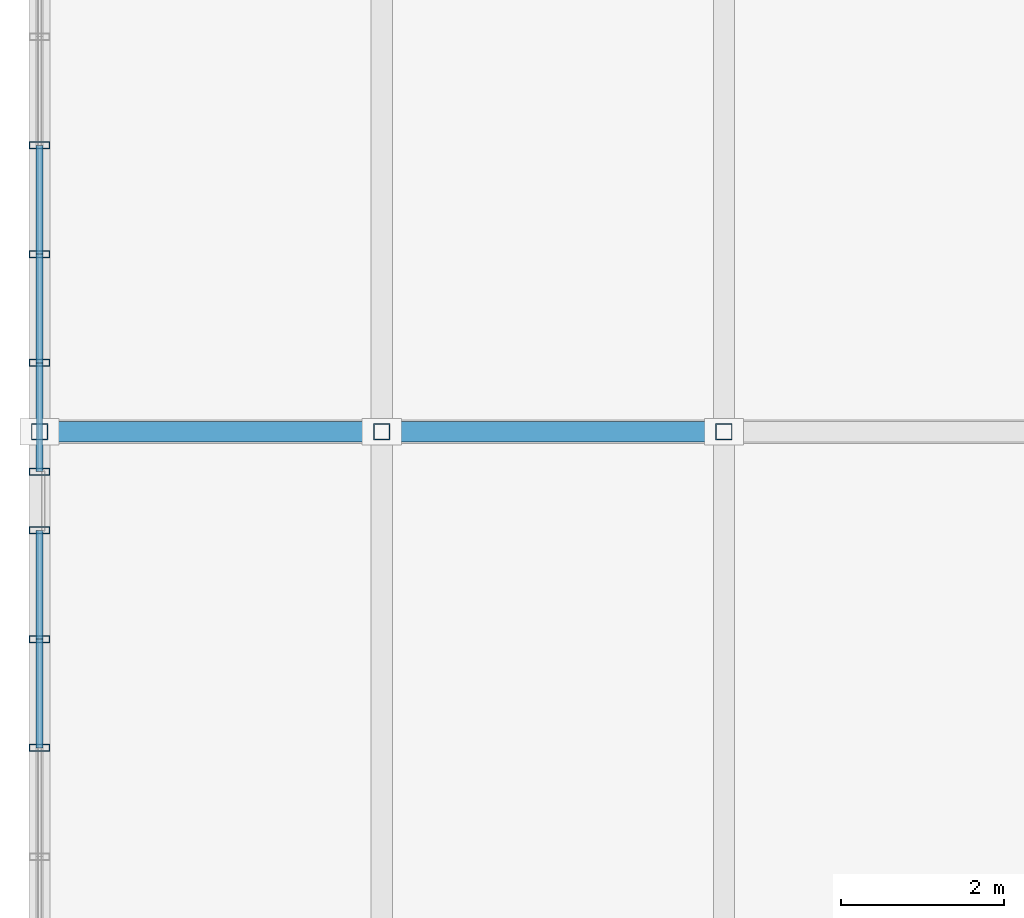
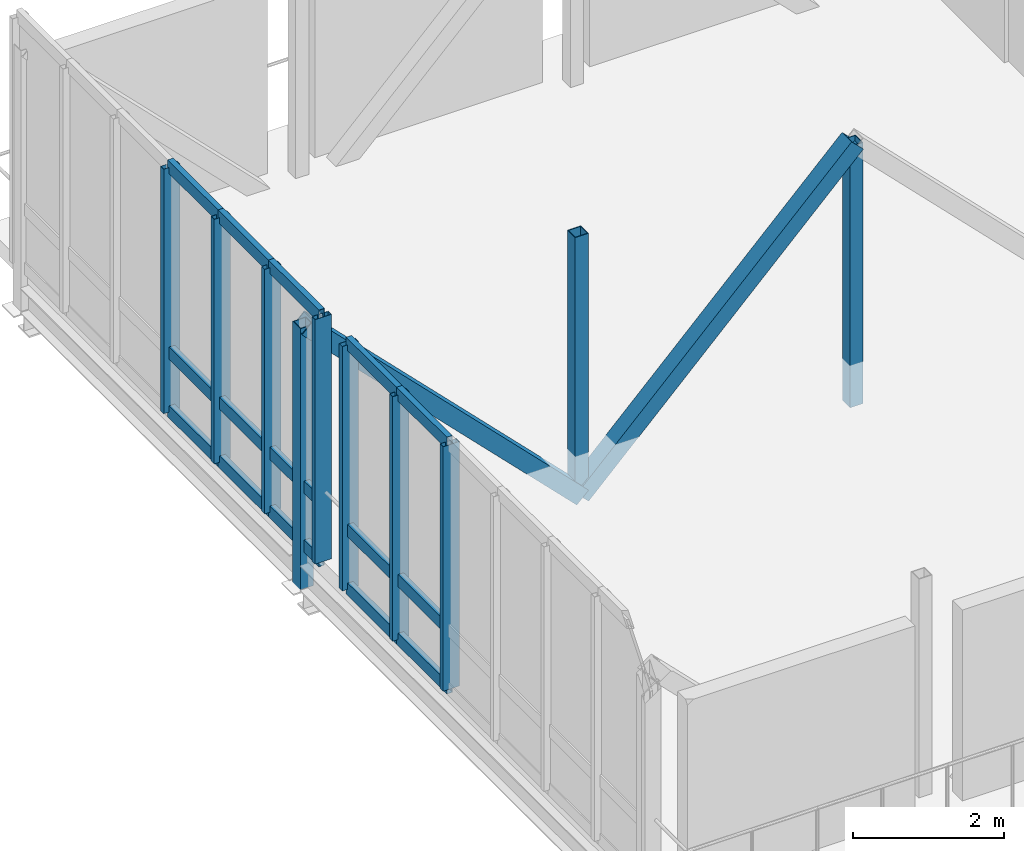
# One storey, part 39 of 107: 27 members, 2 elements without a shape of their own.
"""IFC4 building model written with IfcOpenShell, lengths in metres."""

from ifc_helpers import new_model, si_unit, derived_unit, direction, frame, origin, origin_2d, place, context, subcontext, project, spatial, hollow_rectangle, extrude, material, layer, layer_set, material_profile, profile_set, type_object, element, aggregate, save


model = new_model("IFC4")

# Units and contexts
model_context = context("Model", 3, precision=1e-05, world=origin(), true_north=direction((0.0, 1.0)))
body_context = subcontext(model_context, "Body", "Model", "MODEL_VIEW")
ifc_project = project(units=[si_unit("LENGTHUNIT", "METRE"), si_unit("AREAUNIT", "SQUARE_METRE"), si_unit("VOLUMEUNIT", "CUBIC_METRE"), si_unit("PLANEANGLEUNIT", "RADIAN"), si_unit("MASSUNIT", "GRAM", prefix="KILO"), derived_unit("THERMALTRANSMITTANCEUNIT", [(si_unit("MASSUNIT", "GRAM", prefix="KILO"), 1), (si_unit("TIMEUNIT", "SECOND"), -3), (si_unit("THERMODYNAMICTEMPERATUREUNIT", "KELVIN"), -1)])], contexts=[model_context])

# Site, building, storey
site_placement = place(None, origin())
site = spatial("IfcSite", under=ifc_project, at=site_placement, CompositionType="ELEMENT")
building_placement = place(site_placement, origin())
building = spatial("IfcBuilding", under=site, at=building_placement, Name="Makaiwela Harbour Ferry Terminal", CompositionType="ELEMENT")
storey_placement = place(building_placement, frame((0.0, 0.0, 9.60009765625)))
storey = spatial("IfcBuildingStorey", under=building, at=storey_placement, Name="L02", CompositionType="ELEMENT", Elevation=9.60009765625)

# Curtain wall, members
ifc_material_1 = material(Name="Marine anodised aluminium 6063-T6", Category="aluminium")
ifc_layer = layer(ifc_material_1, 0.199951171875)
ifc_layer_set = layer_set([ifc_layer], Name="Marine anodised aluminium 6063-T6")
curtain_wall_type = type_object("IfcCurtainWallType", Name="ENV-CW-23", PredefinedType="USERDEFINED", material=ifc_layer_set)
curtain_wall_1_placement = place(storey_placement, origin())
curtain_wall_1 = element("IfcCurtainWall", 1, at=curtain_wall_1_placement, inside=storey, type_object=curtain_wall_type, Name="Unitised Curtain Wall CWA-138", ObjectType="UNITIZED CURTAIN WALL", PredefinedType="USERDEFINED")
ifc_material_profile_1 = material_profile(ifc_material_1, hollow_rectangle(XDim=0.0849609375, YDim=0.25, WallThickness=0.0048828125, at=origin_2d()), Name="CWM-250X85")
ifc_profile_set_1 = profile_set([ifc_material_profile_1], Name="Marine anodised aluminium 6063-T6")
member_type_1 = type_object("IfcMemberType", Name="CW-MUL-250", PredefinedType="MULLION", material=ifc_profile_set_1)
member_1_placement = place(storey_placement, frame((0.0, 64.570068359375, 0.0), z_axis=(0.0, 0.0, 1.0), x_axis=(0.0, 1.0, 0.0)))
member_1 = element("IfcMember", 2, at=member_1_placement, type_object=member_type_1, Name="Curtain Wall Mullion CWA-138-5", PredefinedType="MULLION", context=body_context, shape_type="SweptSolid", body=[
    extrude(hollow_rectangle(XDim=0.0849609375, YDim=0.25, WallThickness=0.0048828125, at=origin_2d()), origin(), (0.0, 0.0, 1.0), 3.949951171875),
])
member_2_placement = place(storey_placement, frame((0.0, 65.905029296875, 0.0), z_axis=(0.0, 0.0, 1.0), x_axis=(0.0, 1.0, 0.0)))
member_2 = element("IfcMember", 3, at=member_2_placement, type_object=member_type_1, Name="Curtain Wall Mullion CWA-138-6", PredefinedType="MULLION", context=body_context, shape_type="SweptSolid", body=[
    extrude(hollow_rectangle(XDim=0.0849609375, YDim=0.25, WallThickness=0.0048828125, at=origin_2d()), origin(), (0.0, 0.0, 1.0), 3.949951171875),
])
member_3_placement = place(storey_placement, frame((0.0, 67.239990234375, 0.0), z_axis=(0.0, 0.0, 1.0), x_axis=(0.0, 1.0, 0.0)))
member_3 = element("IfcMember", 4, at=member_3_placement, type_object=member_type_1, Name="Curtain Wall Mullion CWA-138-7", PredefinedType="MULLION", context=body_context, shape_type="SweptSolid", body=[
    extrude(hollow_rectangle(XDim=0.0849609375, YDim=0.25, WallThickness=0.0048828125, at=origin_2d()), origin(), (0.0, 0.0, 1.0), 3.949951171875),
])

curtain_wall_2_placement = place(storey_placement, origin())
curtain_wall_2 = element("IfcCurtainWall", 5, at=curtain_wall_2_placement, inside=storey, type_object=curtain_wall_type, Name="Unitised Curtain Wall CWA-139", ObjectType="UNITIZED CURTAIN WALL", PredefinedType="USERDEFINED")
member_4_placement = place(storey_placement, frame((0.0, 67.9599609375, 0.0), z_axis=(0.0, 0.0, 1.0), x_axis=(0.0, 1.0, 0.0)))
member_4 = element("IfcMember", 6, at=member_4_placement, type_object=member_type_1, Name="Curtain Wall Mullion CWA-139-1", PredefinedType="MULLION", context=body_context, shape_type="SweptSolid", body=[
    extrude(hollow_rectangle(XDim=0.0849609375, YDim=0.25, WallThickness=0.0048828125, at=origin_2d()), origin(), (0.0, 0.0, 1.0), 3.949951171875),
])
member_5_placement = place(storey_placement, frame((0.0, 69.294921875, 0.0), z_axis=(0.0, 0.0, 1.0), x_axis=(0.0, 1.0, 0.0)))
member_5 = element("IfcMember", 7, at=member_5_placement, type_object=member_type_1, Name="Curtain Wall Mullion CWA-139-2", PredefinedType="MULLION", context=body_context, shape_type="SweptSolid", body=[
    extrude(hollow_rectangle(XDim=0.0849609375, YDim=0.25, WallThickness=0.0048828125, at=origin_2d()), origin(), (0.0, 0.0, 1.0), 3.949951171875),
])
member_6_placement = place(storey_placement, frame((0.0, 70.6298828125, 0.0), z_axis=(0.0, 0.0, 1.0), x_axis=(0.0, 1.0, 0.0)))
member_6 = element("IfcMember", 8, at=member_6_placement, type_object=member_type_1, Name="Curtain Wall Mullion CWA-139-3", PredefinedType="MULLION", context=body_context, shape_type="SweptSolid", body=[
    extrude(hollow_rectangle(XDim=0.0849609375, YDim=0.25, WallThickness=0.0048828125, at=origin_2d()), origin(), (0.0, 0.0, 1.0), 3.949951171875),
])
member_7_placement = place(storey_placement, frame((0.0, 71.965087890625, 0.0), z_axis=(0.0, 0.0, 1.0), x_axis=(0.0, 1.0, 0.0)))
member_7 = element("IfcMember", 9, at=member_7_placement, type_object=member_type_1, Name="Curtain Wall Mullion CWA-139-4", PredefinedType="MULLION", context=body_context, shape_type="SweptSolid", body=[
    extrude(hollow_rectangle(XDim=0.0849609375, YDim=0.25, WallThickness=0.0048828125, at=origin_2d()), origin(), (0.0, 0.0, 1.0), 3.949951171875),
])

# Member
ifc_material_profile_2 = material_profile(ifc_material_1, hollow_rectangle(XDim=0.0849609375, YDim=0.199951171875, WallThickness=0.0048828125, at=origin_2d()), Name="CWT-200X85")
ifc_profile_set_2 = profile_set([ifc_material_profile_2], Name="Marine anodised aluminium 6063-T6")
member_type_2 = type_object("IfcMemberType", Name="CW-TRN-200", PredefinedType="USERDEFINED", material=ifc_profile_set_2)
member_8_placement = place(storey_placement, frame((0.0, 64.570068359375, 0.0), z_axis=(0.0, 1.0, 0.0), x_axis=(-1.0, 0.0, 0.0)))
member_8 = element("IfcMember", 10, at=member_8_placement, type_object=member_type_2, Name="Curtain Wall Transom CWA-138-5-1", ObjectType="TRANSOM", PredefinedType="USERDEFINED", context=body_context, shape_type="SweptSolid", body=[
    extrude(hollow_rectangle(XDim=0.0849609375, YDim=0.199951171875, WallThickness=0.0048828125, at=origin_2d()), origin(), (0.0, 0.0, 1.0), 1.3349609375),
])

member_9_placement = place(storey_placement, frame((0.0, 64.570068359375, 0.949951171875), z_axis=(0.0, 1.0, 0.0), x_axis=(-1.0, 0.0, 0.0)))
member_9 = element("IfcMember", 11, at=member_9_placement, type_object=member_type_2, Name="Curtain Wall Transom CWA-138-5-2", ObjectType="TRANSOM", PredefinedType="USERDEFINED", context=body_context, shape_type="SweptSolid", body=[
    extrude(hollow_rectangle(XDim=0.0849609375, YDim=0.199951171875, WallThickness=0.0048828125, at=origin_2d()), origin(), (0.0, 0.0, 1.0), 1.3349609375),
])

member_10_placement = place(storey_placement, frame((0.0, 64.570068359375, 3.949951171875), z_axis=(0.0, 1.0, 0.0), x_axis=(-1.0, 0.0, 0.0)))
member_10 = element("IfcMember", 12, at=member_10_placement, type_object=member_type_2, Name="Curtain Wall Transom CWA-138-5-3", ObjectType="TRANSOM", PredefinedType="USERDEFINED", context=body_context, shape_type="SweptSolid", body=[
    extrude(hollow_rectangle(XDim=0.0849609375, YDim=0.199951171875, WallThickness=0.0048828125, at=origin_2d()), origin(), (0.0, 0.0, 1.0), 1.3349609375),
])

member_11_placement = place(storey_placement, frame((0.0, 65.905029296875, 0.0), z_axis=(0.0, 1.0, 0.0), x_axis=(-1.0, 0.0, 0.0)))
member_11 = element("IfcMember", 13, at=member_11_placement, type_object=member_type_2, Name="Curtain Wall Transom CWA-138-6-1", ObjectType="TRANSOM", PredefinedType="USERDEFINED", context=body_context, shape_type="SweptSolid", body=[
    extrude(hollow_rectangle(XDim=0.0849609375, YDim=0.199951171875, WallThickness=0.0048828125, at=origin_2d()), origin(), (0.0, 0.0, 1.0), 1.3349609375),
])

member_12_placement = place(storey_placement, frame((0.0, 65.905029296875, 0.949951171875), z_axis=(0.0, 1.0, 0.0), x_axis=(-1.0, 0.0, 0.0)))
member_12 = element("IfcMember", 14, at=member_12_placement, type_object=member_type_2, Name="Curtain Wall Transom CWA-138-6-2", ObjectType="TRANSOM", PredefinedType="USERDEFINED", context=body_context, shape_type="SweptSolid", body=[
    extrude(hollow_rectangle(XDim=0.0849609375, YDim=0.199951171875, WallThickness=0.0048828125, at=origin_2d()), origin(), (0.0, 0.0, 1.0), 1.3349609375),
])

member_13_placement = place(storey_placement, frame((0.0, 65.905029296875, 3.949951171875), z_axis=(0.0, 1.0, 0.0), x_axis=(-1.0, 0.0, 0.0)))
member_13 = element("IfcMember", 15, at=member_13_placement, type_object=member_type_2, Name="Curtain Wall Transom CWA-138-6-3", ObjectType="TRANSOM", PredefinedType="USERDEFINED", context=body_context, shape_type="SweptSolid", body=[
    extrude(hollow_rectangle(XDim=0.0849609375, YDim=0.199951171875, WallThickness=0.0048828125, at=origin_2d()), origin(), (0.0, 0.0, 1.0), 1.3349609375),
])

aggregate(curtain_wall_1, [member_1, member_2, member_3, member_8, member_9, member_10, member_11, member_12, member_13])

member_14_placement = place(storey_placement, frame((0.0, 67.9599609375, 0.0), z_axis=(0.0, 1.0, 0.0), x_axis=(-1.0, 0.0, 0.0)))
member_14 = element("IfcMember", 16, at=member_14_placement, type_object=member_type_2, Name="Curtain Wall Transom CWA-139-1-1", ObjectType="TRANSOM", PredefinedType="USERDEFINED", context=body_context, shape_type="SweptSolid", body=[
    extrude(hollow_rectangle(XDim=0.0849609375, YDim=0.199951171875, WallThickness=0.0048828125, at=origin_2d()), origin(), (0.0, 0.0, 1.0), 1.3349609375),
])

member_15_placement = place(storey_placement, frame((0.0, 67.9599609375, 0.949951171875), z_axis=(0.0, 1.0, 0.0), x_axis=(-1.0, 0.0, 0.0)))
member_15 = element("IfcMember", 17, at=member_15_placement, type_object=member_type_2, Name="Curtain Wall Transom CWA-139-1-2", ObjectType="TRANSOM", PredefinedType="USERDEFINED", context=body_context, shape_type="SweptSolid", body=[
    extrude(hollow_rectangle(XDim=0.0849609375, YDim=0.199951171875, WallThickness=0.0048828125, at=origin_2d()), origin(), (0.0, 0.0, 1.0), 1.3349609375),
])

member_16_placement = place(storey_placement, frame((0.0, 67.9599609375, 3.949951171875), z_axis=(0.0, 1.0, 0.0), x_axis=(-1.0, 0.0, 0.0)))
member_16 = element("IfcMember", 18, at=member_16_placement, type_object=member_type_2, Name="Curtain Wall Transom CWA-139-1-3", ObjectType="TRANSOM", PredefinedType="USERDEFINED", context=body_context, shape_type="SweptSolid", body=[
    extrude(hollow_rectangle(XDim=0.0849609375, YDim=0.199951171875, WallThickness=0.0048828125, at=origin_2d()), origin(), (0.0, 0.0, 1.0), 1.3349609375),
])

member_17_placement = place(storey_placement, frame((0.0, 69.294921875, 0.0), z_axis=(0.0, 1.0, 0.0), x_axis=(-1.0, 0.0, 0.0)))
member_17 = element("IfcMember", 19, at=member_17_placement, type_object=member_type_2, Name="Curtain Wall Transom CWA-139-2-1", ObjectType="TRANSOM", PredefinedType="USERDEFINED", context=body_context, shape_type="SweptSolid", body=[
    extrude(hollow_rectangle(XDim=0.0849609375, YDim=0.199951171875, WallThickness=0.0048828125, at=origin_2d()), origin(), (0.0, 0.0, 1.0), 1.3349609375),
])

member_18_placement = place(storey_placement, frame((0.0, 69.294921875, 0.949951171875), z_axis=(0.0, 1.0, 0.0), x_axis=(-1.0, 0.0, 0.0)))
member_18 = element("IfcMember", 20, at=member_18_placement, type_object=member_type_2, Name="Curtain Wall Transom CWA-139-2-2", ObjectType="TRANSOM", PredefinedType="USERDEFINED", context=body_context, shape_type="SweptSolid", body=[
    extrude(hollow_rectangle(XDim=0.0849609375, YDim=0.199951171875, WallThickness=0.0048828125, at=origin_2d()), origin(), (0.0, 0.0, 1.0), 1.3349609375),
])

member_19_placement = place(storey_placement, frame((0.0, 69.294921875, 3.949951171875), z_axis=(0.0, 1.0, 0.0), x_axis=(-1.0, 0.0, 0.0)))
member_19 = element("IfcMember", 21, at=member_19_placement, type_object=member_type_2, Name="Curtain Wall Transom CWA-139-2-3", ObjectType="TRANSOM", PredefinedType="USERDEFINED", context=body_context, shape_type="SweptSolid", body=[
    extrude(hollow_rectangle(XDim=0.0849609375, YDim=0.199951171875, WallThickness=0.0048828125, at=origin_2d()), origin(), (0.0, 0.0, 1.0), 1.3349609375),
])

member_20_placement = place(storey_placement, frame((0.0, 70.6298828125, 0.0), z_axis=(0.0, 1.0, 0.0), x_axis=(-1.0, 0.0, 0.0)))
member_20 = element("IfcMember", 22, at=member_20_placement, type_object=member_type_2, Name="Curtain Wall Transom CWA-139-3-1", ObjectType="TRANSOM", PredefinedType="USERDEFINED", context=body_context, shape_type="SweptSolid", body=[
    extrude(hollow_rectangle(XDim=0.0849609375, YDim=0.199951171875, WallThickness=0.0048828125, at=origin_2d()), origin(), (0.0, 0.0, 1.0), 1.335205078125),
])

member_21_placement = place(storey_placement, frame((0.0, 70.6298828125, 0.949951171875), z_axis=(0.0, 1.0, 0.0), x_axis=(-1.0, 0.0, 0.0)))
member_21 = element("IfcMember", 23, at=member_21_placement, type_object=member_type_2, Name="Curtain Wall Transom CWA-139-3-2", ObjectType="TRANSOM", PredefinedType="USERDEFINED", context=body_context, shape_type="SweptSolid", body=[
    extrude(hollow_rectangle(XDim=0.0849609375, YDim=0.199951171875, WallThickness=0.0048828125, at=origin_2d()), origin(), (0.0, 0.0, 1.0), 1.335205078125),
])

member_22_placement = place(storey_placement, frame((0.0, 70.6298828125, 3.949951171875), z_axis=(0.0, 1.0, 0.0), x_axis=(-1.0, 0.0, 0.0)))
member_22 = element("IfcMember", 24, at=member_22_placement, type_object=member_type_2, Name="Curtain Wall Transom CWA-139-3-3", ObjectType="TRANSOM", PredefinedType="USERDEFINED", context=body_context, shape_type="SweptSolid", body=[
    extrude(hollow_rectangle(XDim=0.0849609375, YDim=0.199951171875, WallThickness=0.0048828125, at=origin_2d()), origin(), (0.0, 0.0, 1.0), 1.335205078125),
])

aggregate(curtain_wall_2, [member_4, member_5, member_6, member_7, member_14, member_15, member_16, member_17, member_18, member_19, member_20, member_21, member_22])

# Members
ifc_material_2 = material(Name="Steel ASTM A500 Grade C", Category="steel")
ifc_material_profile_3 = material_profile(ifc_material_2, hollow_rectangle(XDim=0.25390625, YDim=0.25390625, WallThickness=0.0146484375, at=origin_2d()), Name="HSS10X10X5/8")
ifc_profile_set_3 = profile_set([ifc_material_profile_3], Name="Steel ASTM A500 Grade C")
member_type_3 = type_object("IfcMemberType", Name="STR-BRC-HSS10", PredefinedType="BRACE", material=ifc_profile_set_3)
for number, where, z_axis, x_axis, name in (
    (25, (8.39990234375, 68.449951171875, 3.534423828125), (-0.705423542875, 0.0, -0.708786022124), (0.0, -1.0, 0.0), "Structural Member BR-01"),
    (26, (4.199951171875, 68.449951171875, -0.685546875), (-0.705423542875, 0.0, 0.708786022124), (0.0, -1.0, 0.0), "Structural Member BR-01"),
):
    element("IfcMember", number, at=place(storey_placement, frame(where, z_axis=z_axis, x_axis=x_axis)), inside=storey, type_object=member_type_3, Name=name, PredefinedType="BRACE", context=body_context, shape_type="SweptSolid", body=[
        extrude(hollow_rectangle(XDim=0.25390625, YDim=0.25390625, WallThickness=0.0146484375, at=origin_2d()), origin(), (0.0, 0.0, 1.0), 5.953857421875),
    ])
ifc_material_profile_4 = material_profile(ifc_material_2, hollow_rectangle(XDim=0.202880859375, YDim=0.202880859375, WallThickness=0.01171875, at=origin_2d()), Name="HSS8X8X1/2")
ifc_profile_set_4 = profile_set([ifc_material_profile_4], Name="Steel ASTM A500 Grade C")
member_type_4 = type_object("IfcMemberType", Name="STR-PST-HSS8", PredefinedType="POST", material=ifc_profile_set_4)
for number, where, z_axis, x_axis, name in (
    (27, (8.39990234375, 68.449951171875, -0.685546875), (0.0, 0.0, 1.0), (1.0, 0.0, 0.0), "Structural Member PS-01"),
    (28, (4.199951171875, 68.449951171875, -0.685546875), (0.0, 0.0, 1.0), (1.0, 0.0, 0.0), "Structural Member PS-01"),
    (29, (0.0, 68.449951171875, -0.685546875), (0.0, 0.0, 1.0), (1.0, 0.0, 0.0), "Structural Member PS-01"),
):
    element("IfcMember", number, at=place(storey_placement, frame(where, z_axis=z_axis, x_axis=x_axis)), inside=storey, type_object=member_type_4, Name=name, PredefinedType="POST", context=body_context, shape_type="SweptSolid", body=[
        extrude(hollow_rectangle(XDim=0.202880859375, YDim=0.202880859375, WallThickness=0.01171875, at=origin_2d()), origin(), (0.0, 0.0, 1.0), 4.219970703125),
    ])

save(model, "model.ifc")
